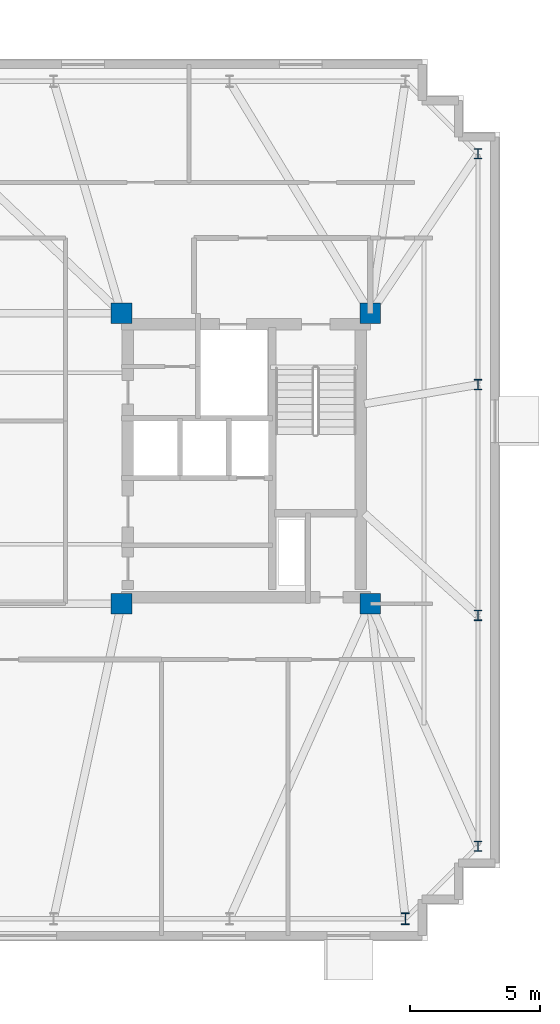
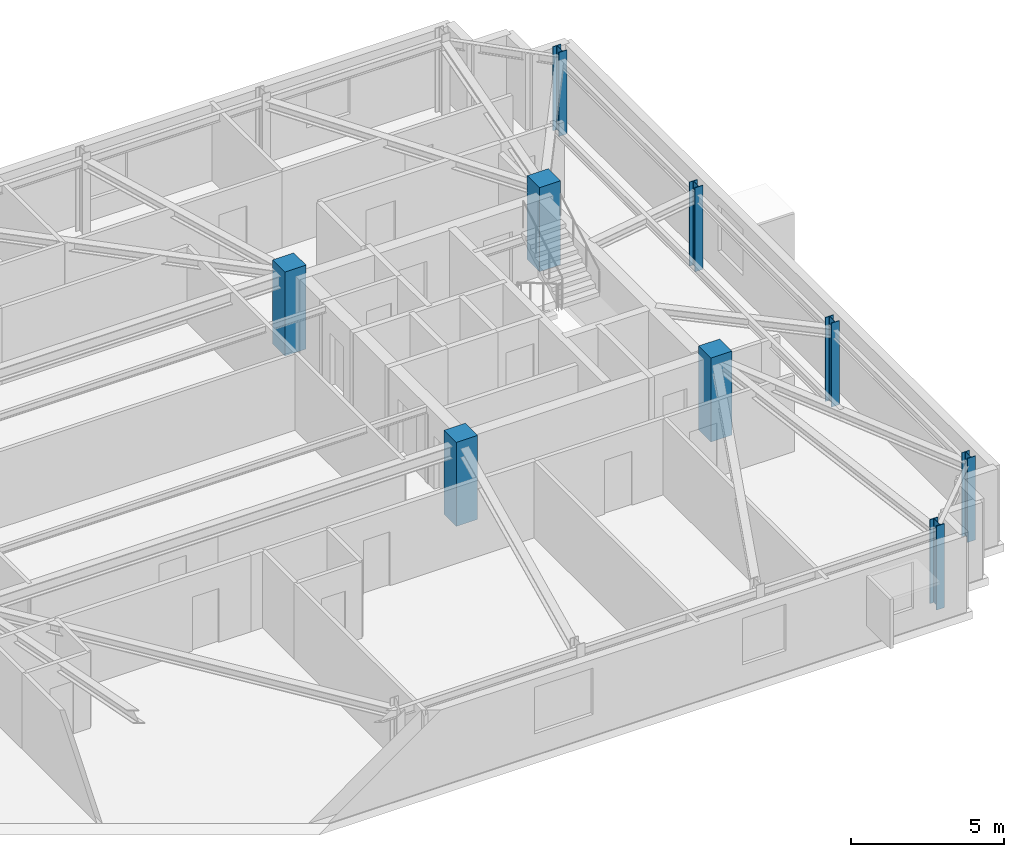
# One storey, part 2 of 11: 9 columns.
"""IFC4 building model written with IfcOpenShell, lengths in metres."""

from ifc_helpers import new_model, si_unit, direction, frame, origin, origin_2d, place, context, subcontext, project, spatial, rectangle, i_section, extrude, material, material_profile, profile_set, type_object, element, save


model = new_model("IFC4")

# Units and contexts
model_context = context("Model", 3, precision=1e-05, world=origin(), true_north=direction((0.0, 1.0)))
body_context = subcontext(model_context, "Body", "Model", "MODEL_VIEW")
ifc_project = project(units=[si_unit("LENGTHUNIT", "METRE"), si_unit("AREAUNIT", "SQUARE_METRE"), si_unit("VOLUMEUNIT", "CUBIC_METRE"), si_unit("PLANEANGLEUNIT", "RADIAN"), si_unit("MASSUNIT", "GRAM", prefix="KILO")], contexts=[model_context])

# Site, building, storey
site_placement = place(None, origin())
site = spatial("IfcSite", under=ifc_project, at=site_placement, CompositionType="ELEMENT")
building_placement = place(site_placement, origin())
building = spatial("IfcBuilding", under=site, at=building_placement, Name="Qobustan Lattice House", CompositionType="ELEMENT")
storey_placement = place(building_placement, frame((0.0, 0.0, 255.10009765625)))
storey = spatial("IfcBuildingStorey", under=building, at=storey_placement, Name="L72", CompositionType="ELEMENT", Elevation=255.10009765625)

# Columns
ifc_material_1 = material(Name="Concrete C50/60", Category="concrete")
ifc_material_profile_1 = material_profile(ifc_material_1, rectangle(XDim=0.800048828125, YDim=0.800048828125, at=origin_2d()), Name="RC800x800")
ifc_profile_set_1 = profile_set([ifc_material_profile_1], Name="Concrete C50/60")
column_type_1 = type_object("IfcColumnType", Name="COL-RC-800", PredefinedType="COLUMN", material=ifc_profile_set_1)
for number, where, z_axis, x_axis, name in (
    (1, (9.199951171875, -5.60009765625, 0.0), (0.0, 0.0, 1.0), (1.0, 0.0, 0.0), "L72 core mega-column CE-SW"),
    (2, (9.199951171875, 5.60009765625, 0.0), (0.0, 0.0, 1.0), (1.0, 0.0, 0.0), "L72 core mega-column CE-NW"),
    (3, (18.800048828125, -5.60009765625, 0.0), (0.0, 0.0, 1.0), (1.0, 0.0, 0.0), "L72 core mega-column CE-SE"),
    (4, (18.800048828125, 5.60009765625, 0.0), (0.0, 0.0, 1.0), (1.0, 0.0, 0.0), "L72 core mega-column CE-NE"),
):
    element("IfcColumn", number, at=place(storey_placement, frame(where, z_axis=z_axis, x_axis=x_axis)), inside=storey, type_object=column_type_1, Name=name, PredefinedType="COLUMN", context=body_context, shape_type="SweptSolid", body=[
        extrude(rectangle(XDim=0.800048828125, YDim=0.800048828125, at=origin_2d()), origin(), (0.0, 0.0, 1.0), 3.349853515625),
    ])
ifc_material_2 = material(Name="Steel S355", Category="steel")
ifc_material_profile_2 = material_profile(ifc_material_2, i_section(OverallWidth=0.300048828125, OverallDepth=0.39990234375, WebThickness=0.013427734375, FlangeThickness=0.02392578125, FilletRadius=0.027099609375, at=origin_2d()), Name="HEB400")
ifc_profile_set_2 = profile_set([ifc_material_profile_2], Name="Steel S355")
column_type_2 = type_object("IfcColumnType", Name="COL-ST-HEB400", PredefinedType="COLUMN", material=ifc_profile_set_2)
for number, where, z_axis, x_axis, name in (
    (5, (22.949951171875, -14.949951171875, 0.0), (0.0, 0.0, 1.0), (1.0, 0.0, 0.0), "L72 B5 perimeter column E1"),
    (6, (22.949951171875, -6.050048828125, 0.0), (0.0, 0.0, 1.0), (1.0, 0.0, 0.0), "L72 B5 perimeter column E2"),
    (7, (22.949951171875, 2.85009765625, 0.0), (0.0, 0.0, 1.0), (1.0, 0.0, 0.0), "L72 B5 perimeter column E3"),
    (8, (22.949951171875, 11.75, 0.0), (0.0, 0.0, 1.0), (1.0, 0.0, 0.0), "L72 B5 perimeter column E4"),
):
    element("IfcColumn", number, at=place(storey_placement, frame(where, z_axis=z_axis, x_axis=x_axis)), inside=storey, type_object=column_type_2, Name=name, PredefinedType="COLUMN", context=body_context, shape_type="SweptSolid", body=[
        extrude(i_section(OverallWidth=0.300048828125, OverallDepth=0.39990234375, WebThickness=0.013427734375, FlangeThickness=0.02392578125, FilletRadius=0.027099609375, at=origin_2d()), origin(), (0.0, 0.0, 1.0), 3.349853515625),
    ])
ifc_material_3 = material(Name="Steel S355", Category="steel")
ifc_material_profile_3 = material_profile(ifc_material_3, i_section(OverallWidth=0.300048828125, OverallDepth=0.449951171875, WebThickness=0.013916015625, FlangeThickness=0.02587890625, FilletRadius=0.027099609375, at=origin_2d()), Name="HEB450")
ifc_profile_set_3 = profile_set([ifc_material_profile_3], Name="Steel S355")
column_type_3 = type_object("IfcColumnType", Name="COL-ST-HEB450", PredefinedType="COLUMN", material=ifc_profile_set_3)
column_placement = place(storey_placement, frame((20.14990234375, -17.75, 0.0), z_axis=(0.0, 0.0, 1.0), x_axis=(1.0, 0.0, 0.0)))
element("IfcColumn", 9, at=column_placement, inside=storey, type_object=column_type_3, Name="L72 B5 perimeter column S7", PredefinedType="COLUMN", context=body_context, shape_type="SweptSolid", body=[
    extrude(i_section(OverallWidth=0.300048828125, OverallDepth=0.449951171875, WebThickness=0.013916015625, FlangeThickness=0.02587890625, FilletRadius=0.027099609375, at=origin_2d()), origin(), (0.0, 0.0, 1.0), 3.349853515625),
])

save(model, "model.ifc")
